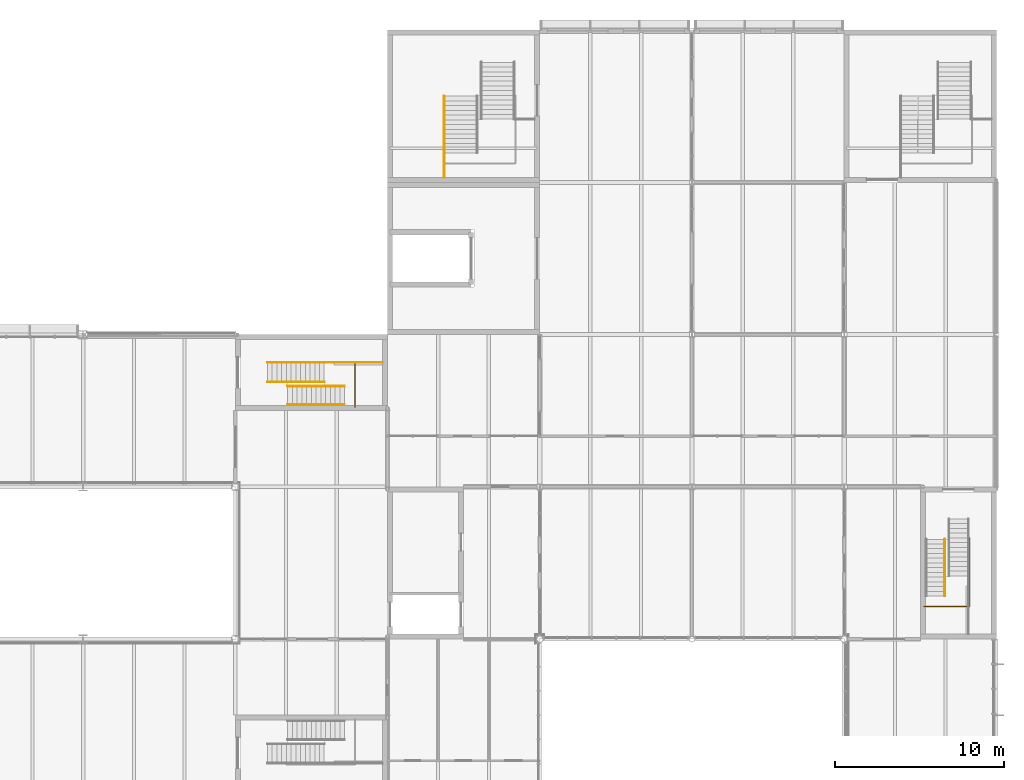
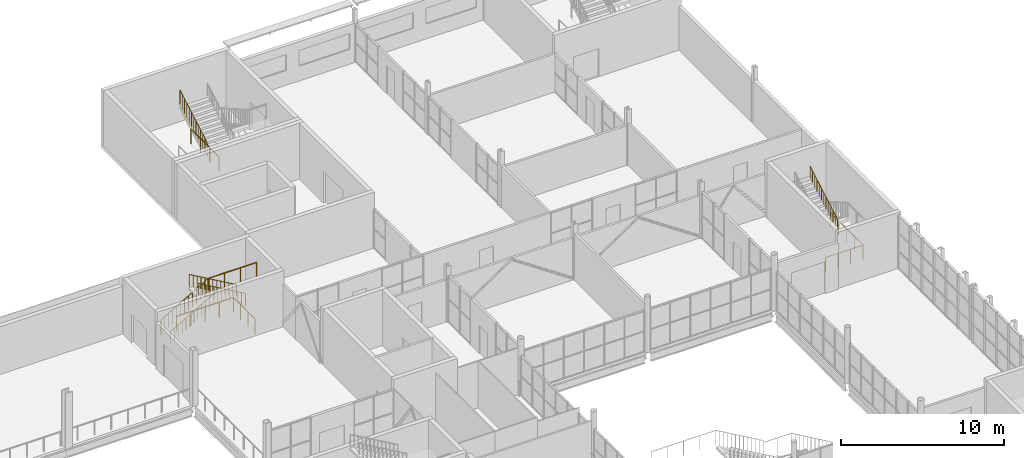
# One storey, part 55 of 57: 10 railings.
"""IFC4 building model written with IfcOpenShell, lengths in metres."""

from ifc_helpers import new_model, si_unit, direction, frame, origin, origin_2d, place, context, subcontext, project, spatial, circle, extrude, material, type_object, element, save


model = new_model("IFC4")

# Units and contexts
model_context = context("Model", 3, precision=1e-05, world=origin(), true_north=direction((0.0, 1.0)))
body_context = subcontext(model_context, "Body", "Model", "MODEL_VIEW")
ifc_project = project(units=[si_unit("LENGTHUNIT", "METRE"), si_unit("AREAUNIT", "SQUARE_METRE"), si_unit("VOLUMEUNIT", "CUBIC_METRE"), si_unit("PLANEANGLEUNIT", "RADIAN"), si_unit("MASSUNIT", "GRAM", prefix="KILO")], contexts=[model_context])

# Site, building, storey
site_placement = place(None, origin())
site = spatial("IfcSite", under=ifc_project, at=site_placement, CompositionType="ELEMENT")
building_placement = place(site_placement, origin())
building = spatial("IfcBuilding", under=site, at=building_placement, Name="Halyard Row Museum", CompositionType="ELEMENT")
storey_placement = place(building_placement, frame((0.0, 0.0, 5.0)))
storey = spatial("IfcBuildingStorey", under=building, at=storey_placement, Name="L01", CompositionType="ELEMENT", Elevation=5.0)

# Railings
ifc_material_1 = material(Name="Steel Grade 300", Category="steel")
railing_type_1 = type_object("IfcRailingType", Name="Guard GR2 steel balustrade 1100", PredefinedType="GUARDRAIL", material=ifc_material_1)
railing_1_placement = place(storey_placement, frame((64.89990234375, 43.35009765625, 0.16162109375)))
element("IfcRailing", 1, at=railing_1_placement, inside=storey, type_object=railing_type_1, Name="Guard GR015", PredefinedType="GUARDRAIL", context=body_context, shape_type="SweptSolid", body=[
    extrude(circle(Radius=0.02392578125, at=origin_2d()), frame((0.0, 0.0, 1.076171875), z_axis=(0.866424426198, 0.0, 0.49930823515), x_axis=(0.0, 1.0, 0.0)), (0.0, 0.0, 1.0), 0.3232421875),
    extrude(circle(Radius=0.02392578125, at=origin_2d()), frame((0.280029296875, 0.0, 1.2373046875), z_axis=(0.86609757561, 0.0, 0.499874973892), x_axis=(0.0, 1.0, 0.0)), (0.0, 0.0, 1.0), 0.3232421875),
    extrude(circle(Radius=0.02392578125, at=origin_2d()), frame((0.56005859375, 0.0, 1.39892578125), z_axis=(0.86609757561, 0.0, 0.499874973892), x_axis=(0.0, 1.0, 0.0)), (0.0, 0.0, 1.0), 0.3232421875),
    extrude(circle(Radius=0.02392578125, at=origin_2d()), frame((0.840087890625, 0.0, 1.560546875), z_axis=(0.866424426198, 0.0, 0.49930823515), x_axis=(0.0, 1.0, 0.0)), (0.0, 0.0, 1.0), 0.3232421875),
    extrude(circle(Radius=0.02392578125, at=origin_2d()), frame((1.1201171875, 0.0, 1.72216796875), z_axis=(0.86609757561, 0.0, 0.499874973892), x_axis=(0.0, 1.0, 0.0)), (0.0, 0.0, 1.0), 0.3232421875),
    extrude(circle(Radius=0.02392578125, at=origin_2d()), frame((1.400146484375, 0.0, 1.8837890625), z_axis=(0.86609757561, 0.0, 0.499874973892), x_axis=(0.0, 1.0, 0.0)), (0.0, 0.0, 1.0), 0.3232421875),
    extrude(circle(Radius=0.02392578125, at=origin_2d()), frame((1.68017578125, 0.0, 2.04541015625), z_axis=(0.866424426198, 0.0, 0.49930823515), x_axis=(0.0, 1.0, 0.0)), (0.0, 0.0, 1.0), 0.3232421875),
    extrude(circle(Radius=0.02392578125, at=origin_2d()), frame((1.960205078125, 0.0, 2.20654296875), z_axis=(0.865908710228, 0.0, 0.500202064721), x_axis=(0.0, 1.0, 0.0)), (0.0, 0.0, 1.0), 0.322998046875),
    extrude(circle(Radius=0.02392578125, at=origin_2d()), frame((2.239990234375, 0.0, 2.3681640625), z_axis=(0.86609757561, 0.0, 0.499874973892), x_axis=(0.0, 1.0, 0.0)), (0.0, 0.0, 1.0), 0.3232421875),
    extrude(circle(Radius=0.02392578125, at=origin_2d()), frame((2.52001953125, 0.0, 2.52978515625), z_axis=(0.866424426198, 0.0, 0.49930823515), x_axis=(0.0, 1.0, 0.0)), (0.0, 0.0, 1.0), 0.3232421875),
    extrude(circle(Radius=0.02392578125, at=origin_2d()), frame((2.800048828125, 0.0, 2.69140625), z_axis=(0.86609757561, 0.0, 0.499874973892), x_axis=(0.0, 1.0, 0.0)), (0.0, 0.0, 1.0), 0.3232421875),
    extrude(circle(Radius=0.02392578125, at=origin_2d()), frame((3.080078125, 0.0, 2.85302734375), z_axis=(0.86609757561, 0.0, 0.499874973892), x_axis=(0.0, 1.0, 0.0)), (0.0, 0.0, 1.0), 0.3232421875),
    extrude(circle(Radius=0.02099609375, at=origin_2d()), origin(), (0.0, 0.0, 1.0), 1.052001953125),
    extrude(circle(Radius=0.02099609375, at=origin_2d()), frame((0.280029296875, 0.0, 0.161376953125)), (0.0, 0.0, 1.0), 1.052001953125),
    extrude(circle(Radius=0.02099609375, at=origin_2d()), frame((0.56005859375, 0.0, 0.322998046875)), (0.0, 0.0, 1.0), 1.052001953125),
    extrude(circle(Radius=0.02099609375, at=origin_2d()), frame((0.840087890625, 0.0, 0.484619140625)), (0.0, 0.0, 1.0), 1.052001953125),
    extrude(circle(Radius=0.02099609375, at=origin_2d()), frame((1.1201171875, 0.0, 0.64599609375)), (0.0, 0.0, 1.0), 1.052001953125),
    extrude(circle(Radius=0.02099609375, at=origin_2d()), frame((1.400146484375, 0.0, 0.8076171875)), (0.0, 0.0, 1.0), 1.052001953125),
    extrude(circle(Radius=0.02099609375, at=origin_2d()), frame((1.68017578125, 0.0, 0.96923828125)), (0.0, 0.0, 1.0), 1.052001953125),
    extrude(circle(Radius=0.02099609375, at=origin_2d()), frame((1.960205078125, 0.0, 1.130615234375)), (0.0, 0.0, 1.0), 1.052001953125),
    extrude(circle(Radius=0.02099609375, at=origin_2d()), frame((2.239990234375, 0.0, 1.292236328125)), (0.0, 0.0, 1.0), 1.052001953125),
    extrude(circle(Radius=0.02099609375, at=origin_2d()), frame((2.52001953125, 0.0, 1.453857421875)), (0.0, 0.0, 1.0), 1.052001953125),
    extrude(circle(Radius=0.02099609375, at=origin_2d()), frame((2.800048828125, 0.0, 1.615234375)), (0.0, 0.0, 1.0), 1.052001953125),
    extrude(circle(Radius=0.02099609375, at=origin_2d()), frame((3.080078125, 0.0, 1.77685546875)), (0.0, 0.0, 1.0), 1.052001953125),
    extrude(circle(Radius=0.02099609375, at=origin_2d()), frame((3.360107421875, 0.0, 1.9384765625)), (0.0, 0.0, 1.0), 1.052001953125),
])
railing_2_placement = place(storey_placement, frame((68.260009765625, 43.35009765625, 2.10009765625)))
element("IfcRailing", 2, at=railing_2_placement, inside=storey, type_object=railing_type_1, Name="Guard GR016", PredefinedType="GUARDRAIL", context=body_context, shape_type="SweptSolid", body=[
    extrude(circle(Radius=0.02392578125, at=origin_2d()), frame((0.0, 0.0, 1.076171875), z_axis=(1.0, 0.0, 0.0), x_axis=(0.0, 1.0, 0.0)), (0.0, 0.0, 1.0), 3.43994140625),
    extrude(circle(Radius=0.02099609375, at=origin_2d()), origin(), (0.0, 0.0, 1.0), 1.052001953125),
    extrude(circle(Radius=0.02099609375, at=origin_2d()), frame((1.146728515625, 0.0, 0.0)), (0.0, 0.0, 1.0), 1.052001953125),
    extrude(circle(Radius=0.02099609375, at=origin_2d()), frame((2.293212890625, 0.0, 0.0)), (0.0, 0.0, 1.0), 1.052001953125),
    extrude(circle(Radius=0.02099609375, at=origin_2d()), frame((3.43994140625, 0.0, 0.0)), (0.0, 0.0, 1.0), 1.052001953125),
])
railing_3_placement = place(storey_placement, frame((75.35009765625, 55.739990234375, 2.261474609375)))
element("IfcRailing", 3, at=railing_3_placement, inside=storey, type_object=railing_type_1, Name="Guard GR105", PredefinedType="GUARDRAIL", context=body_context, shape_type="SweptSolid", body=[
    extrude(circle(Radius=0.02392578125, at=origin_2d()), frame((0.0, 0.0, 1.076171875), z_axis=(0.0, 0.86609757561, 0.499874973892), x_axis=(-1.0, 0.0, 0.0)), (0.0, 0.0, 1.0), 0.3232421875),
    extrude(circle(Radius=0.02392578125, at=origin_2d()), frame((0.0, 0.280029296875, 1.23779296875), z_axis=(0.0, 0.86609757561, 0.499874973892), x_axis=(-1.0, 0.0, 0.0)), (0.0, 0.0, 1.0), 0.3232421875),
    extrude(circle(Radius=0.02392578125, at=origin_2d()), frame((0.0, 0.56005859375, 1.3994140625), z_axis=(0.0, 0.866424426198, 0.49930823515), x_axis=(-1.0, 0.0, 0.0)), (0.0, 0.0, 1.0), 0.3232421875),
    extrude(circle(Radius=0.02392578125, at=origin_2d()), frame((0.0, 0.840087890625, 1.560546875), z_axis=(0.0, 0.86609757561, 0.499874973892), x_axis=(-1.0, 0.0, 0.0)), (0.0, 0.0, 1.0), 0.3232421875),
    extrude(circle(Radius=0.02392578125, at=origin_2d()), frame((0.0, 1.1201171875, 1.72216796875), z_axis=(0.0, 0.865908710228, 0.500202064721), x_axis=(-1.0, 0.0, 0.0)), (0.0, 0.0, 1.0), 0.322998046875),
    extrude(circle(Radius=0.02392578125, at=origin_2d()), frame((0.0, 1.39990234375, 1.8837890625), z_axis=(0.0, 0.866424426198, 0.49930823515), x_axis=(-1.0, 0.0, 0.0)), (0.0, 0.0, 1.0), 0.3232421875),
    extrude(circle(Radius=0.02392578125, at=origin_2d()), frame((0.0, 1.679931640625, 2.04541015625), z_axis=(0.0, 0.86609757561, 0.499874973892), x_axis=(-1.0, 0.0, 0.0)), (0.0, 0.0, 1.0), 0.3232421875),
    extrude(circle(Radius=0.02392578125, at=origin_2d()), frame((0.0, 1.9599609375, 2.20703125), z_axis=(0.0, 0.86609757561, 0.499874973892), x_axis=(-1.0, 0.0, 0.0)), (0.0, 0.0, 1.0), 0.3232421875),
    extrude(circle(Radius=0.02392578125, at=origin_2d()), frame((0.0, 2.239990234375, 2.36865234375), z_axis=(0.0, 0.866424426198, 0.49930823515), x_axis=(-1.0, 0.0, 0.0)), (0.0, 0.0, 1.0), 0.3232421875),
    extrude(circle(Radius=0.02392578125, at=origin_2d()), frame((0.0, 2.52001953125, 2.52978515625), z_axis=(0.0, 0.86609757561, 0.499874973892), x_axis=(-1.0, 0.0, 0.0)), (0.0, 0.0, 1.0), 0.3232421875),
    extrude(circle(Radius=0.02392578125, at=origin_2d()), frame((0.0, 2.800048828125, 2.69140625), z_axis=(0.0, 0.86609757561, 0.499874973892), x_axis=(-1.0, 0.0, 0.0)), (0.0, 0.0, 1.0), 0.3232421875),
    extrude(circle(Radius=0.02392578125, at=origin_2d()), frame((0.0, 3.080078125, 2.85302734375), z_axis=(0.0, 0.866424426198, 0.49930823515), x_axis=(-1.0, 0.0, 0.0)), (0.0, 0.0, 1.0), 0.3232421875),
    extrude(circle(Radius=0.02099609375, at=origin_2d()), origin(), (0.0, 0.0, 1.0), 1.052001953125),
    extrude(circle(Radius=0.02099609375, at=origin_2d()), frame((0.0, 0.280029296875, 0.16162109375)), (0.0, 0.0, 1.0), 1.052001953125),
    extrude(circle(Radius=0.02099609375, at=origin_2d()), frame((0.0, 0.56005859375, 0.3232421875)), (0.0, 0.0, 1.0), 1.052001953125),
    extrude(circle(Radius=0.02099609375, at=origin_2d()), frame((0.0, 0.840087890625, 0.484619140625)), (0.0, 0.0, 1.0), 1.052001953125),
    extrude(circle(Radius=0.02099609375, at=origin_2d()), frame((0.0, 1.1201171875, 0.646240234375)), (0.0, 0.0, 1.0), 1.052001953125),
    extrude(circle(Radius=0.02099609375, at=origin_2d()), frame((0.0, 1.39990234375, 0.807861328125)), (0.0, 0.0, 1.0), 1.052001953125),
    extrude(circle(Radius=0.02099609375, at=origin_2d()), frame((0.0, 1.679931640625, 0.96923828125)), (0.0, 0.0, 1.0), 1.052001953125),
    extrude(circle(Radius=0.02099609375, at=origin_2d()), frame((0.0, 1.9599609375, 1.130859375)), (0.0, 0.0, 1.0), 1.052001953125),
    extrude(circle(Radius=0.02099609375, at=origin_2d()), frame((0.0, 2.239990234375, 1.29248046875)), (0.0, 0.0, 1.0), 1.052001953125),
    extrude(circle(Radius=0.02099609375, at=origin_2d()), frame((0.0, 2.52001953125, 1.453857421875)), (0.0, 0.0, 1.0), 1.052001953125),
    extrude(circle(Radius=0.02099609375, at=origin_2d()), frame((0.0, 2.800048828125, 1.615478515625)), (0.0, 0.0, 1.0), 1.052001953125),
    extrude(circle(Radius=0.02099609375, at=origin_2d()), frame((0.0, 3.080078125, 1.777099609375)), (0.0, 0.0, 1.0), 1.052001953125),
    extrude(circle(Radius=0.02099609375, at=origin_2d()), frame((0.0, 3.360107421875, 1.9384765625)), (0.0, 0.0, 1.0), 1.052001953125),
])
railing_4_placement = place(storey_placement, frame((75.35009765625, 57.739990234375, 2.10009765625)))
element("IfcRailing", 4, at=railing_4_placement, inside=storey, type_object=railing_type_1, Name="Guard GR107", PredefinedType="GUARDRAIL", context=body_context, shape_type="SweptSolid", body=[
    extrude(circle(Radius=0.02392578125, at=origin_2d()), frame((0.0, 0.0, 1.076171875), z_axis=(0.0, -1.0, 0.0), x_axis=(1.0, 0.0, 0.0)), (0.0, 0.0, 1.0), 3.43994140625),
    extrude(circle(Radius=0.02099609375, at=origin_2d()), origin(), (0.0, 0.0, 1.0), 1.052001953125),
    extrude(circle(Radius=0.02099609375, at=origin_2d()), frame((0.0, -1.146728515625, 0.0)), (0.0, 0.0, 1.0), 1.052001953125),
    extrude(circle(Radius=0.02099609375, at=origin_2d()), frame((0.0, -2.293212890625, 0.0)), (0.0, 0.0, 1.0), 1.052001953125),
    extrude(circle(Radius=0.02099609375, at=origin_2d()), frame((0.0, -3.43994140625, 0.0)), (0.0, 0.0, 1.0), 1.052001953125),
])
railing_5_placement = place(storey_placement, frame((66.0400390625, 43.409912109375, 0.0)))
element("IfcRailing", 5, at=railing_5_placement, inside=storey, type_object=railing_type_1, Name="Guard GR143", PredefinedType="GUARDRAIL", context=body_context, shape_type="SweptSolid", body=[
    extrude(circle(Radius=0.02392578125, at=origin_2d()), frame((0.0, 0.0, 1.076171875), z_axis=(1.0, 0.0, 0.0), x_axis=(0.0, 1.0, 0.0)), (0.0, 0.0, 1.0), 4.0400390625),
    extrude(circle(Radius=0.02392578125, at=origin_2d()), frame((4.0400390625, 0.0, 1.076171875), z_axis=(0.0, -1.0, 0.0), x_axis=(1.0, 0.0, 0.0)), (0.0, 0.0, 1.0), 2.669921875),
    extrude(circle(Radius=0.02099609375, at=origin_2d()), origin(), (0.0, 0.0, 1.0), 1.052001953125),
    extrude(circle(Radius=0.02099609375, at=origin_2d()), frame((1.010009765625, 0.0, 0.0)), (0.0, 0.0, 1.0), 1.052001953125),
    extrude(circle(Radius=0.02099609375, at=origin_2d()), frame((2.02001953125, 0.0, 0.0)), (0.0, 0.0, 1.0), 1.052001953125),
    extrude(circle(Radius=0.02099609375, at=origin_2d()), frame((3.030029296875, 0.0, 0.0)), (0.0, 0.0, 1.0), 1.052001953125),
    extrude(circle(Radius=0.02099609375, at=origin_2d()), frame((4.0400390625, 0.0, 0.0)), (0.0, 0.0, 1.0), 1.052001953125),
    extrude(circle(Radius=0.02099609375, at=origin_2d()), frame((4.0400390625, -0.889892578125, 0.0)), (0.0, 0.0, 1.0), 1.052001953125),
    extrude(circle(Radius=0.02099609375, at=origin_2d()), frame((4.0400390625, -1.780029296875, 0.0)), (0.0, 0.0, 1.0), 1.052001953125),
    extrude(circle(Radius=0.02099609375, at=origin_2d()), frame((4.0400390625, -2.669921875, 0.0)), (0.0, 0.0, 1.0), 1.052001953125),
])
railing_6_placement = place(storey_placement, frame((106.409912109375, 32.9599609375, 0.0)))
element("IfcRailing", 6, at=railing_6_placement, inside=storey, type_object=railing_type_1, Name="Guard GR166", PredefinedType="GUARDRAIL", context=body_context, shape_type="SweptSolid", body=[
    extrude(circle(Radius=0.02392578125, at=origin_2d()), frame((0.0, 0.0, 1.076171875), z_axis=(0.0, -1.0, 0.0), x_axis=(1.0, 0.0, 0.0)), (0.0, 0.0, 1.0), 4.0400390625),
    extrude(circle(Radius=0.02392578125, at=origin_2d()), frame((0.0, -4.0400390625, 1.076171875), z_axis=(-1.0, 0.0, 0.0), x_axis=(0.0, -1.0, 0.0)), (0.0, 0.0, 1.0), 2.669921875),
    extrude(circle(Radius=0.02099609375, at=origin_2d()), origin(), (0.0, 0.0, 1.0), 1.052001953125),
    extrude(circle(Radius=0.02099609375, at=origin_2d()), frame((0.0, -1.010009765625, 0.0)), (0.0, 0.0, 1.0), 1.052001953125),
    extrude(circle(Radius=0.02099609375, at=origin_2d()), frame((0.0, -2.02001953125, 0.0)), (0.0, 0.0, 1.0), 1.052001953125),
    extrude(circle(Radius=0.02099609375, at=origin_2d()), frame((0.0, -3.030029296875, 0.0)), (0.0, 0.0, 1.0), 1.052001953125),
    extrude(circle(Radius=0.02099609375, at=origin_2d()), frame((0.0, -4.0400390625, 0.0)), (0.0, 0.0, 1.0), 1.052001953125),
    extrude(circle(Radius=0.02099609375, at=origin_2d()), frame((-0.889892578125, -4.0400390625, 0.0)), (0.0, 0.0, 1.0), 1.052001953125),
    extrude(circle(Radius=0.02099609375, at=origin_2d()), frame((-1.780029296875, -4.0400390625, 0.0)), (0.0, 0.0, 1.0), 1.052001953125),
    extrude(circle(Radius=0.02099609375, at=origin_2d()), frame((-2.669921875, -4.0400390625, 0.0)), (0.0, 0.0, 1.0), 1.052001953125),
])
ifc_material_2 = material(Name="Steel Grade 300", Category="steel")
railing_type_2 = type_object("IfcRailingType", Name="Handrail HR2 steel 900", PredefinedType="HANDRAIL", material=ifc_material_2)
railing_7_placement = place(storey_placement, frame((64.89990234375, 42.199951171875, 0.16162109375)))
element("IfcRailing", 7, at=railing_7_placement, inside=storey, type_object=railing_type_2, Name="Handrail HR022", PredefinedType="HANDRAIL", context=body_context, shape_type="SweptSolid", body=[
    extrude(circle(Radius=0.02392578125, at=origin_2d()), frame((0.0, 0.0, 0.8759765625), z_axis=(0.866424426198, 0.0, 0.49930823515), x_axis=(0.0, 1.0, 0.0)), (0.0, 0.0, 1.0), 0.3232421875),
    extrude(circle(Radius=0.02392578125, at=origin_2d()), frame((0.280029296875, 0.0, 1.037109375), z_axis=(0.86609757561, 0.0, 0.499874973892), x_axis=(0.0, 1.0, 0.0)), (0.0, 0.0, 1.0), 0.3232421875),
    extrude(circle(Radius=0.02392578125, at=origin_2d()), frame((0.56005859375, 0.0, 1.19873046875), z_axis=(0.86609757561, 0.0, 0.499874973892), x_axis=(0.0, 1.0, 0.0)), (0.0, 0.0, 1.0), 0.3232421875),
    extrude(circle(Radius=0.02392578125, at=origin_2d()), frame((0.840087890625, 0.0, 1.3603515625), z_axis=(0.866424426198, 0.0, 0.49930823515), x_axis=(0.0, 1.0, 0.0)), (0.0, 0.0, 1.0), 0.3232421875),
    extrude(circle(Radius=0.02392578125, at=origin_2d()), frame((1.1201171875, 0.0, 1.52197265625), z_axis=(0.86609757561, 0.0, 0.499874973892), x_axis=(0.0, 1.0, 0.0)), (0.0, 0.0, 1.0), 0.3232421875),
    extrude(circle(Radius=0.02392578125, at=origin_2d()), frame((1.400146484375, 0.0, 1.68359375), z_axis=(0.86609757561, 0.0, 0.499874973892), x_axis=(0.0, 1.0, 0.0)), (0.0, 0.0, 1.0), 0.3232421875),
    extrude(circle(Radius=0.02392578125, at=origin_2d()), frame((1.68017578125, 0.0, 1.84521484375), z_axis=(0.866424426198, 0.0, 0.49930823515), x_axis=(0.0, 1.0, 0.0)), (0.0, 0.0, 1.0), 0.3232421875),
    extrude(circle(Radius=0.02392578125, at=origin_2d()), frame((1.960205078125, 0.0, 2.00634765625), z_axis=(0.865908710228, 0.0, 0.500202064721), x_axis=(0.0, 1.0, 0.0)), (0.0, 0.0, 1.0), 0.322998046875),
    extrude(circle(Radius=0.02392578125, at=origin_2d()), frame((2.239990234375, 0.0, 2.16796875), z_axis=(0.86609757561, 0.0, 0.499874973892), x_axis=(0.0, 1.0, 0.0)), (0.0, 0.0, 1.0), 0.3232421875),
    extrude(circle(Radius=0.02392578125, at=origin_2d()), frame((2.52001953125, 0.0, 2.32958984375), z_axis=(0.866424426198, 0.0, 0.49930823515), x_axis=(0.0, 1.0, 0.0)), (0.0, 0.0, 1.0), 0.3232421875),
    extrude(circle(Radius=0.02392578125, at=origin_2d()), frame((2.800048828125, 0.0, 2.4912109375), z_axis=(0.86609757561, 0.0, 0.499874973892), x_axis=(0.0, 1.0, 0.0)), (0.0, 0.0, 1.0), 0.3232421875),
    extrude(circle(Radius=0.02392578125, at=origin_2d()), frame((3.080078125, 0.0, 2.65283203125), z_axis=(0.86609757561, 0.0, 0.499874973892), x_axis=(0.0, 1.0, 0.0)), (0.0, 0.0, 1.0), 0.3232421875),
    extrude(circle(Radius=0.02099609375, at=origin_2d()), origin(), (0.0, 0.0, 1.0), 0.851806640625),
    extrude(circle(Radius=0.02099609375, at=origin_2d()), frame((0.280029296875, 0.0, 0.161376953125)), (0.0, 0.0, 1.0), 0.851806640625),
    extrude(circle(Radius=0.02099609375, at=origin_2d()), frame((0.56005859375, 0.0, 0.322998046875)), (0.0, 0.0, 1.0), 0.851806640625),
    extrude(circle(Radius=0.02099609375, at=origin_2d()), frame((0.840087890625, 0.0, 0.484619140625)), (0.0, 0.0, 1.0), 0.851806640625),
    extrude(circle(Radius=0.02099609375, at=origin_2d()), frame((1.1201171875, 0.0, 0.64599609375)), (0.0, 0.0, 1.0), 0.851806640625),
    extrude(circle(Radius=0.02099609375, at=origin_2d()), frame((1.400146484375, 0.0, 0.8076171875)), (0.0, 0.0, 1.0), 0.851806640625),
    extrude(circle(Radius=0.02099609375, at=origin_2d()), frame((1.68017578125, 0.0, 0.96923828125)), (0.0, 0.0, 1.0), 0.851806640625),
    extrude(circle(Radius=0.02099609375, at=origin_2d()), frame((1.960205078125, 0.0, 1.130615234375)), (0.0, 0.0, 1.0), 0.851806640625),
    extrude(circle(Radius=0.02099609375, at=origin_2d()), frame((2.239990234375, 0.0, 1.292236328125)), (0.0, 0.0, 1.0), 0.851806640625),
    extrude(circle(Radius=0.02099609375, at=origin_2d()), frame((2.52001953125, 0.0, 1.453857421875)), (0.0, 0.0, 1.0), 0.851806640625),
    extrude(circle(Radius=0.02099609375, at=origin_2d()), frame((2.800048828125, 0.0, 1.615234375)), (0.0, 0.0, 1.0), 0.851806640625),
    extrude(circle(Radius=0.02099609375, at=origin_2d()), frame((3.080078125, 0.0, 1.77685546875)), (0.0, 0.0, 1.0), 0.851806640625),
    extrude(circle(Radius=0.02099609375, at=origin_2d()), frame((3.360107421875, 0.0, 1.9384765625)), (0.0, 0.0, 1.0), 0.851806640625),
])
railing_8_placement = place(storey_placement, frame((69.4599609375, 40.85009765625, 2.261474609375)))
element("IfcRailing", 8, at=railing_8_placement, inside=storey, type_object=railing_type_2, Name="Handrail HR023", PredefinedType="HANDRAIL", context=body_context, shape_type="SweptSolid", body=[
    extrude(circle(Radius=0.02392578125, at=origin_2d()), frame((0.0, 0.0, 0.8759765625), z_axis=(-0.86609757561, 0.0, 0.499874973892), x_axis=(0.0, -1.0, 0.0)), (0.0, 0.0, 1.0), 0.3232421875),
    extrude(circle(Radius=0.02392578125, at=origin_2d()), frame((-0.280029296875, 0.0, 1.03759765625), z_axis=(-0.86609757561, 0.0, 0.499874973892), x_axis=(0.0, -1.0, 0.0)), (0.0, 0.0, 1.0), 0.3232421875),
    extrude(circle(Radius=0.02392578125, at=origin_2d()), frame((-0.56005859375, 0.0, 1.19921875), z_axis=(-0.866235917577, 0.0, 0.499635202023), x_axis=(0.0, -1.0, 0.0)), (0.0, 0.0, 1.0), 0.322998046875),
    extrude(circle(Radius=0.02392578125, at=origin_2d()), frame((-0.83984375, 0.0, 1.3603515625), z_axis=(-0.86609757561, 0.0, 0.499874973892), x_axis=(0.0, -1.0, 0.0)), (0.0, 0.0, 1.0), 0.3232421875),
    extrude(circle(Radius=0.02392578125, at=origin_2d()), frame((-1.119873046875, 0.0, 1.52197265625), z_axis=(-0.86609757561, 0.0, 0.499874973892), x_axis=(0.0, -1.0, 0.0)), (0.0, 0.0, 1.0), 0.3232421875),
    extrude(circle(Radius=0.02392578125, at=origin_2d()), frame((-1.39990234375, 0.0, 1.68359375), z_axis=(-0.866424426198, 0.0, 0.49930823515), x_axis=(0.0, -1.0, 0.0)), (0.0, 0.0, 1.0), 0.3232421875),
    extrude(circle(Radius=0.02392578125, at=origin_2d()), frame((-1.679931640625, 0.0, 1.84521484375), z_axis=(-0.86609757561, 0.0, 0.499874973892), x_axis=(0.0, -1.0, 0.0)), (0.0, 0.0, 1.0), 0.3232421875),
    extrude(circle(Radius=0.02392578125, at=origin_2d()), frame((-1.9599609375, 0.0, 2.0068359375), z_axis=(-0.86609757561, 0.0, 0.499874973892), x_axis=(0.0, -1.0, 0.0)), (0.0, 0.0, 1.0), 0.3232421875),
    extrude(circle(Radius=0.02392578125, at=origin_2d()), frame((-2.239990234375, 0.0, 2.16845703125), z_axis=(-0.866424426198, 0.0, 0.49930823515), x_axis=(0.0, -1.0, 0.0)), (0.0, 0.0, 1.0), 0.3232421875),
    extrude(circle(Radius=0.02392578125, at=origin_2d()), frame((-2.52001953125, 0.0, 2.32958984375), z_axis=(-0.86609757561, 0.0, 0.499874973892), x_axis=(0.0, -1.0, 0.0)), (0.0, 0.0, 1.0), 0.3232421875),
    extrude(circle(Radius=0.02392578125, at=origin_2d()), frame((-2.800048828125, 0.0, 2.4912109375), z_axis=(-0.86609757561, 0.0, 0.499874973892), x_axis=(0.0, -1.0, 0.0)), (0.0, 0.0, 1.0), 0.3232421875),
    extrude(circle(Radius=0.02392578125, at=origin_2d()), frame((-3.080078125, 0.0, 2.65283203125), z_axis=(-0.866235917577, 0.0, 0.499635202023), x_axis=(0.0, -1.0, 0.0)), (0.0, 0.0, 1.0), 0.322998046875),
    extrude(circle(Radius=0.02099609375, at=origin_2d()), origin(), (0.0, 0.0, 1.0), 0.851806640625),
    extrude(circle(Radius=0.02099609375, at=origin_2d()), frame((-0.280029296875, 0.0, 0.16162109375)), (0.0, 0.0, 1.0), 0.851806640625),
    extrude(circle(Radius=0.02099609375, at=origin_2d()), frame((-0.56005859375, 0.0, 0.3232421875)), (0.0, 0.0, 1.0), 0.851806640625),
    extrude(circle(Radius=0.02099609375, at=origin_2d()), frame((-0.83984375, 0.0, 0.484619140625)), (0.0, 0.0, 1.0), 0.851806640625),
    extrude(circle(Radius=0.02099609375, at=origin_2d()), frame((-1.119873046875, 0.0, 0.646240234375)), (0.0, 0.0, 1.0), 0.851806640625),
    extrude(circle(Radius=0.02099609375, at=origin_2d()), frame((-1.39990234375, 0.0, 0.807861328125)), (0.0, 0.0, 1.0), 0.851806640625),
    extrude(circle(Radius=0.02099609375, at=origin_2d()), frame((-1.679931640625, 0.0, 0.96923828125)), (0.0, 0.0, 1.0), 0.851806640625),
    extrude(circle(Radius=0.02099609375, at=origin_2d()), frame((-1.9599609375, 0.0, 1.130859375)), (0.0, 0.0, 1.0), 0.851806640625),
    extrude(circle(Radius=0.02099609375, at=origin_2d()), frame((-2.239990234375, 0.0, 1.29248046875)), (0.0, 0.0, 1.0), 0.851806640625),
    extrude(circle(Radius=0.02099609375, at=origin_2d()), frame((-2.52001953125, 0.0, 1.453857421875)), (0.0, 0.0, 1.0), 0.851806640625),
    extrude(circle(Radius=0.02099609375, at=origin_2d()), frame((-2.800048828125, 0.0, 1.615478515625)), (0.0, 0.0, 1.0), 0.851806640625),
    extrude(circle(Radius=0.02099609375, at=origin_2d()), frame((-3.080078125, 0.0, 1.777099609375)), (0.0, 0.0, 1.0), 0.851806640625),
    extrude(circle(Radius=0.02099609375, at=origin_2d()), frame((-3.35986328125, 0.0, 1.9384765625)), (0.0, 0.0, 1.0), 0.851806640625),
])
railing_9_placement = place(storey_placement, frame((69.4599609375, 41.949951171875, 2.261474609375)))
element("IfcRailing", 9, at=railing_9_placement, inside=storey, type_object=railing_type_2, Name="Handrail HR024", PredefinedType="HANDRAIL", context=body_context, shape_type="SweptSolid", body=[
    extrude(circle(Radius=0.02392578125, at=origin_2d()), frame((0.0, 0.0, 0.8759765625), z_axis=(-0.86609757561, 0.0, 0.499874973892), x_axis=(0.0, -1.0, 0.0)), (0.0, 0.0, 1.0), 0.3232421875),
    extrude(circle(Radius=0.02392578125, at=origin_2d()), frame((-0.280029296875, 0.0, 1.03759765625), z_axis=(-0.86609757561, 0.0, 0.499874973892), x_axis=(0.0, -1.0, 0.0)), (0.0, 0.0, 1.0), 0.3232421875),
    extrude(circle(Radius=0.02392578125, at=origin_2d()), frame((-0.56005859375, 0.0, 1.19921875), z_axis=(-0.866235917577, 0.0, 0.499635202023), x_axis=(0.0, -1.0, 0.0)), (0.0, 0.0, 1.0), 0.322998046875),
    extrude(circle(Radius=0.02392578125, at=origin_2d()), frame((-0.83984375, 0.0, 1.3603515625), z_axis=(-0.86609757561, 0.0, 0.499874973892), x_axis=(0.0, -1.0, 0.0)), (0.0, 0.0, 1.0), 0.3232421875),
    extrude(circle(Radius=0.02392578125, at=origin_2d()), frame((-1.119873046875, 0.0, 1.52197265625), z_axis=(-0.86609757561, 0.0, 0.499874973892), x_axis=(0.0, -1.0, 0.0)), (0.0, 0.0, 1.0), 0.3232421875),
    extrude(circle(Radius=0.02392578125, at=origin_2d()), frame((-1.39990234375, 0.0, 1.68359375), z_axis=(-0.866424426198, 0.0, 0.49930823515), x_axis=(0.0, -1.0, 0.0)), (0.0, 0.0, 1.0), 0.3232421875),
    extrude(circle(Radius=0.02392578125, at=origin_2d()), frame((-1.679931640625, 0.0, 1.84521484375), z_axis=(-0.86609757561, 0.0, 0.499874973892), x_axis=(0.0, -1.0, 0.0)), (0.0, 0.0, 1.0), 0.3232421875),
    extrude(circle(Radius=0.02392578125, at=origin_2d()), frame((-1.9599609375, 0.0, 2.0068359375), z_axis=(-0.86609757561, 0.0, 0.499874973892), x_axis=(0.0, -1.0, 0.0)), (0.0, 0.0, 1.0), 0.3232421875),
    extrude(circle(Radius=0.02392578125, at=origin_2d()), frame((-2.239990234375, 0.0, 2.16845703125), z_axis=(-0.866424426198, 0.0, 0.49930823515), x_axis=(0.0, -1.0, 0.0)), (0.0, 0.0, 1.0), 0.3232421875),
    extrude(circle(Radius=0.02392578125, at=origin_2d()), frame((-2.52001953125, 0.0, 2.32958984375), z_axis=(-0.86609757561, 0.0, 0.499874973892), x_axis=(0.0, -1.0, 0.0)), (0.0, 0.0, 1.0), 0.3232421875),
    extrude(circle(Radius=0.02392578125, at=origin_2d()), frame((-2.800048828125, 0.0, 2.4912109375), z_axis=(-0.86609757561, 0.0, 0.499874973892), x_axis=(0.0, -1.0, 0.0)), (0.0, 0.0, 1.0), 0.3232421875),
    extrude(circle(Radius=0.02392578125, at=origin_2d()), frame((-3.080078125, 0.0, 2.65283203125), z_axis=(-0.866235917577, 0.0, 0.499635202023), x_axis=(0.0, -1.0, 0.0)), (0.0, 0.0, 1.0), 0.322998046875),
    extrude(circle(Radius=0.02099609375, at=origin_2d()), origin(), (0.0, 0.0, 1.0), 0.851806640625),
    extrude(circle(Radius=0.02099609375, at=origin_2d()), frame((-0.280029296875, 0.0, 0.16162109375)), (0.0, 0.0, 1.0), 0.851806640625),
    extrude(circle(Radius=0.02099609375, at=origin_2d()), frame((-0.56005859375, 0.0, 0.3232421875)), (0.0, 0.0, 1.0), 0.851806640625),
    extrude(circle(Radius=0.02099609375, at=origin_2d()), frame((-0.83984375, 0.0, 0.484619140625)), (0.0, 0.0, 1.0), 0.851806640625),
    extrude(circle(Radius=0.02099609375, at=origin_2d()), frame((-1.119873046875, 0.0, 0.646240234375)), (0.0, 0.0, 1.0), 0.851806640625),
    extrude(circle(Radius=0.02099609375, at=origin_2d()), frame((-1.39990234375, 0.0, 0.807861328125)), (0.0, 0.0, 1.0), 0.851806640625),
    extrude(circle(Radius=0.02099609375, at=origin_2d()), frame((-1.679931640625, 0.0, 0.96923828125)), (0.0, 0.0, 1.0), 0.851806640625),
    extrude(circle(Radius=0.02099609375, at=origin_2d()), frame((-1.9599609375, 0.0, 1.130859375)), (0.0, 0.0, 1.0), 0.851806640625),
    extrude(circle(Radius=0.02099609375, at=origin_2d()), frame((-2.239990234375, 0.0, 1.29248046875)), (0.0, 0.0, 1.0), 0.851806640625),
    extrude(circle(Radius=0.02099609375, at=origin_2d()), frame((-2.52001953125, 0.0, 1.453857421875)), (0.0, 0.0, 1.0), 0.851806640625),
    extrude(circle(Radius=0.02099609375, at=origin_2d()), frame((-2.800048828125, 0.0, 1.615478515625)), (0.0, 0.0, 1.0), 0.851806640625),
    extrude(circle(Radius=0.02099609375, at=origin_2d()), frame((-3.080078125, 0.0, 1.777099609375)), (0.0, 0.0, 1.0), 0.851806640625),
    extrude(circle(Radius=0.02099609375, at=origin_2d()), frame((-3.35986328125, 0.0, 1.9384765625)), (0.0, 0.0, 1.0), 0.851806640625),
])
railing_10_placement = place(storey_placement, frame((104.949951171875, 29.5400390625, 2.261474609375)))
element("IfcRailing", 10, at=railing_10_placement, inside=storey, type_object=railing_type_2, Name="Handrail HR099", PredefinedType="HANDRAIL", context=body_context, shape_type="SweptSolid", body=[
    extrude(circle(Radius=0.02392578125, at=origin_2d()), frame((0.0, 0.0, 0.8759765625), z_axis=(0.0, 0.86609757561, 0.499874973892), x_axis=(-1.0, 0.0, 0.0)), (0.0, 0.0, 1.0), 0.3232421875),
    extrude(circle(Radius=0.02392578125, at=origin_2d()), frame((0.0, 0.280029296875, 1.03759765625), z_axis=(0.0, 0.86609757561, 0.499874973892), x_axis=(-1.0, 0.0, 0.0)), (0.0, 0.0, 1.0), 0.3232421875),
    extrude(circle(Radius=0.02392578125, at=origin_2d()), frame((0.0, 0.56005859375, 1.19921875), z_axis=(0.0, 0.866235917577, 0.499635202023), x_axis=(-1.0, 0.0, 0.0)), (0.0, 0.0, 1.0), 0.322998046875),
    extrude(circle(Radius=0.02392578125, at=origin_2d()), frame((0.0, 0.83984375, 1.3603515625), z_axis=(0.0, 0.86609757561, 0.499874973892), x_axis=(-1.0, 0.0, 0.0)), (0.0, 0.0, 1.0), 0.3232421875),
    extrude(circle(Radius=0.02392578125, at=origin_2d()), frame((0.0, 1.119873046875, 1.52197265625), z_axis=(0.0, 0.86609757561, 0.499874973892), x_axis=(-1.0, 0.0, 0.0)), (0.0, 0.0, 1.0), 0.3232421875),
    extrude(circle(Radius=0.02392578125, at=origin_2d()), frame((0.0, 1.39990234375, 1.68359375), z_axis=(0.0, 0.866424426198, 0.49930823515), x_axis=(-1.0, 0.0, 0.0)), (0.0, 0.0, 1.0), 0.3232421875),
    extrude(circle(Radius=0.02392578125, at=origin_2d()), frame((0.0, 1.679931640625, 1.84521484375), z_axis=(0.0, 0.86609757561, 0.499874973892), x_axis=(-1.0, 0.0, 0.0)), (0.0, 0.0, 1.0), 0.3232421875),
    extrude(circle(Radius=0.02392578125, at=origin_2d()), frame((0.0, 1.9599609375, 2.0068359375), z_axis=(0.0, 0.86609757561, 0.499874973892), x_axis=(-1.0, 0.0, 0.0)), (0.0, 0.0, 1.0), 0.3232421875),
    extrude(circle(Radius=0.02392578125, at=origin_2d()), frame((0.0, 2.239990234375, 2.16845703125), z_axis=(0.0, 0.866424426198, 0.49930823515), x_axis=(-1.0, 0.0, 0.0)), (0.0, 0.0, 1.0), 0.3232421875),
    extrude(circle(Radius=0.02392578125, at=origin_2d()), frame((0.0, 2.52001953125, 2.32958984375), z_axis=(0.0, 0.86609757561, 0.499874973892), x_axis=(-1.0, 0.0, 0.0)), (0.0, 0.0, 1.0), 0.3232421875),
    extrude(circle(Radius=0.02392578125, at=origin_2d()), frame((0.0, 2.800048828125, 2.4912109375), z_axis=(0.0, 0.86609757561, 0.499874973892), x_axis=(-1.0, 0.0, 0.0)), (0.0, 0.0, 1.0), 0.3232421875),
    extrude(circle(Radius=0.02392578125, at=origin_2d()), frame((0.0, 3.080078125, 2.65283203125), z_axis=(0.0, 0.866235917577, 0.499635202023), x_axis=(-1.0, 0.0, 0.0)), (0.0, 0.0, 1.0), 0.322998046875),
    extrude(circle(Radius=0.02099609375, at=origin_2d()), origin(), (0.0, 0.0, 1.0), 0.851806640625),
    extrude(circle(Radius=0.02099609375, at=origin_2d()), frame((0.0, 0.280029296875, 0.16162109375)), (0.0, 0.0, 1.0), 0.851806640625),
    extrude(circle(Radius=0.02099609375, at=origin_2d()), frame((0.0, 0.56005859375, 0.3232421875)), (0.0, 0.0, 1.0), 0.851806640625),
    extrude(circle(Radius=0.02099609375, at=origin_2d()), frame((0.0, 0.83984375, 0.484619140625)), (0.0, 0.0, 1.0), 0.851806640625),
    extrude(circle(Radius=0.02099609375, at=origin_2d()), frame((0.0, 1.119873046875, 0.646240234375)), (0.0, 0.0, 1.0), 0.851806640625),
    extrude(circle(Radius=0.02099609375, at=origin_2d()), frame((0.0, 1.39990234375, 0.807861328125)), (0.0, 0.0, 1.0), 0.851806640625),
    extrude(circle(Radius=0.02099609375, at=origin_2d()), frame((0.0, 1.679931640625, 0.96923828125)), (0.0, 0.0, 1.0), 0.851806640625),
    extrude(circle(Radius=0.02099609375, at=origin_2d()), frame((0.0, 1.9599609375, 1.130859375)), (0.0, 0.0, 1.0), 0.851806640625),
    extrude(circle(Radius=0.02099609375, at=origin_2d()), frame((0.0, 2.239990234375, 1.29248046875)), (0.0, 0.0, 1.0), 0.851806640625),
    extrude(circle(Radius=0.02099609375, at=origin_2d()), frame((0.0, 2.52001953125, 1.453857421875)), (0.0, 0.0, 1.0), 0.851806640625),
    extrude(circle(Radius=0.02099609375, at=origin_2d()), frame((0.0, 2.800048828125, 1.615478515625)), (0.0, 0.0, 1.0), 0.851806640625),
    extrude(circle(Radius=0.02099609375, at=origin_2d()), frame((0.0, 3.080078125, 1.777099609375)), (0.0, 0.0, 1.0), 0.851806640625),
    extrude(circle(Radius=0.02099609375, at=origin_2d()), frame((0.0, 3.35986328125, 1.9384765625)), (0.0, 0.0, 1.0), 0.851806640625),
])

save(model, "model.ifc")
